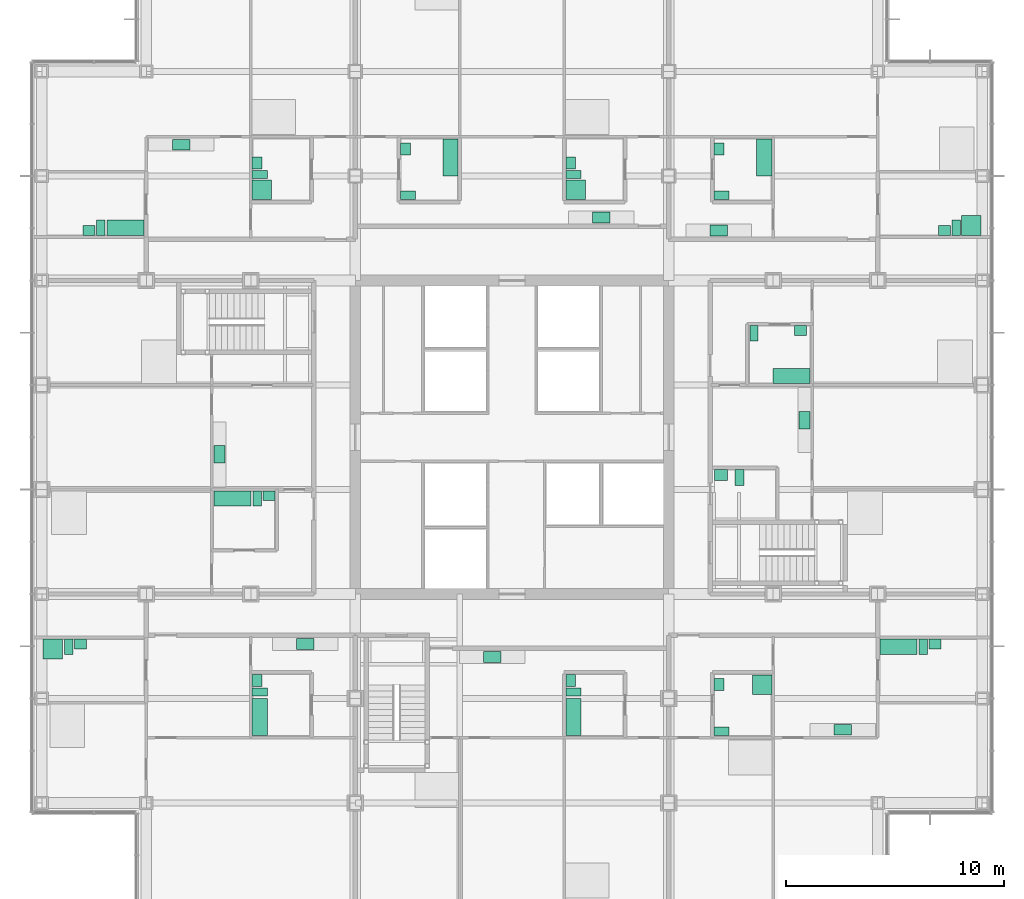
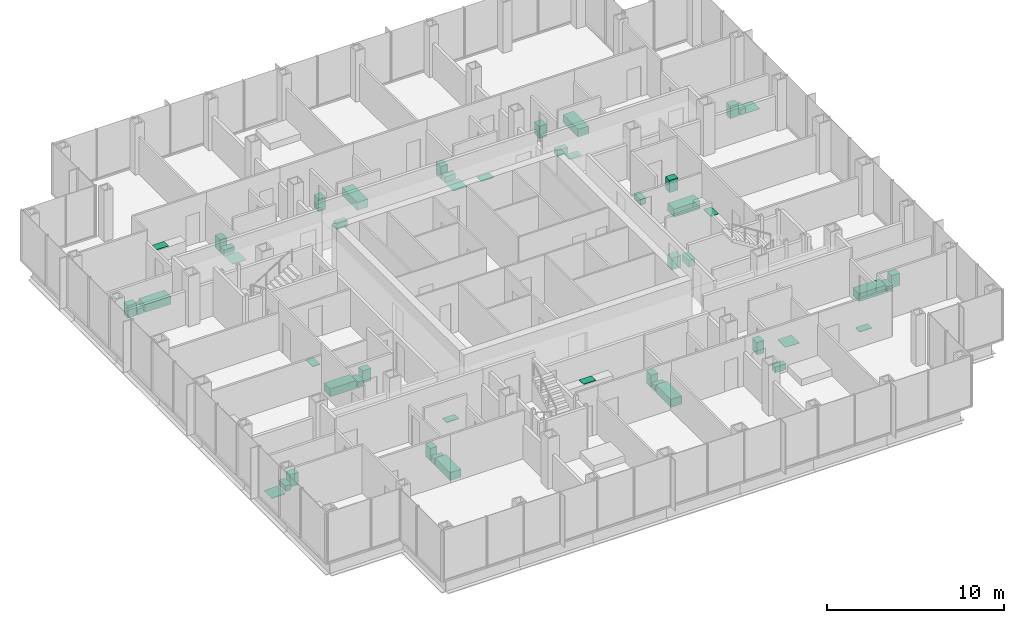
# One storey, part 20 of 21: 49 sanitary terminals.
"""IFC4 building model written with IfcOpenShell, lengths in metres."""

from ifc_helpers import new_model, si_unit, direction, frame, origin, origin_2d, place, context, subcontext, project, spatial, rectangle, extrude, material, type_object, element, save


model = new_model("IFC4")

# Units and contexts
model_context = context("Model", 3, precision=1e-05, world=origin(), true_north=direction((0.0, 1.0)))
body_context = subcontext(model_context, "Body", "Model", "MODEL_VIEW")
ifc_project = project(units=[si_unit("LENGTHUNIT", "METRE"), si_unit("AREAUNIT", "SQUARE_METRE"), si_unit("VOLUMEUNIT", "CUBIC_METRE"), si_unit("PLANEANGLEUNIT", "RADIAN"), si_unit("MASSUNIT", "GRAM", prefix="KILO")], contexts=[model_context])

# Site, building, storey
site_placement = place(None, origin())
site = spatial("IfcSite", under=ifc_project, at=site_placement, CompositionType="ELEMENT")
building_placement = place(site_placement, origin())
building = spatial("IfcBuilding", under=site, at=building_placement, Name="Kvirike Care Tower", CompositionType="ELEMENT")
storey_placement = place(building_placement, frame((0.0, 0.0, 62.0)))
storey = spatial("IfcBuildingStorey", under=building, at=storey_placement, Name="L16", CompositionType="ELEMENT", Elevation=62.0)

# Sanitary terminals
ifc_material_1 = material(Name="Vitreous china", Category="ceramic")
sanitary_terminal_type_1 = type_object("IfcSanitaryTerminalType", Name="ACCESSIBLE WASH BASIN 600 x 500", PredefinedType="WASHHANDBASIN", material=ifc_material_1)
sanitary_terminal_1_placement = place(storey_placement, frame((31.199951171875, 34.27294921875, 0.02001953125), z_axis=(0.0, 0.0, 1.0), x_axis=(1.0, 0.0, 0.0)))
element("IfcSanitaryTerminal", 1, at=sanitary_terminal_1_placement, inside=storey, type_object=sanitary_terminal_type_1, Name="Accessible wash basin L16-050", PredefinedType="WASHHANDBASIN", context=body_context, shape_type="SweptSolid", body=[
    extrude(rectangle(XDim=0.60009765625, YDim=0.5, at=origin_2d()), origin(), (0.0, 0.0, 1.0), 0.800048828125),
])
ifc_material_2 = material(Name="Vitreous china", Category="ceramic")
sanitary_terminal_type_2 = type_object("IfcSanitaryTerminalType", Name="ACCESSIBLE WC PAN 400 x 750", PredefinedType="TOILETPAN", material=ifc_material_2)
sanitary_terminal_2_placement = place(storey_placement, frame((32.050048828125, 34.14794921875, 0.02001953125), z_axis=(0.0, 0.0, 1.0), x_axis=(1.0, 0.0, 0.0)))
element("IfcSanitaryTerminal", 2, at=sanitary_terminal_2_placement, inside=storey, type_object=sanitary_terminal_type_2, Name="Accessible WC pan L16-050", PredefinedType="TOILETPAN", context=body_context, shape_type="SweptSolid", body=[
    extrude(rectangle(XDim=0.39990234375, YDim=0.75, at=origin_2d()), origin(), (0.0, 0.0, 1.0), 0.47998046875),
])
ifc_material_3 = material(Name="Enamelled steel", Category="steel")
sanitary_terminal_type_3 = type_object("IfcSanitaryTerminalType", Name="BATH 1700 x 700", PredefinedType="BATH", material=ifc_material_3)
for number, where, z_axis, x_axis, name in (
    (3, (10.011962890625, 23.159912109375, 0.02001953125), (0.0, 0.0, 1.0), (0.0, 1.0, 0.0), "Bath L16-005"),
    (4, (8.760009765625, 33.18798828125, 0.02001953125), (0.0, 0.0, 1.0), (1.0, 0.0, 0.0), "Bath L16-013"),
    (5, (3.85009765625, 45.626953125, 0.02001953125), (0.0, 0.0, 1.0), (-1.0, 0.0, 0.0), "Bath L16-021"),
    (6, (24.427001953125, 23.159912109375, 0.02001953125), (0.0, 0.0, 1.0), (0.0, 1.0, 0.0), "Bath L16-029"),
    (7, (18.77294921875, 48.840087890625, 0.02001953125), (0.0, 0.0, 1.0), (0.0, -1.0, 0.0), "Bath L16-036"),
    (8, (39.35009765625, 26.373046875, 0.02001953125), (0.0, 0.0, 1.0), (1.0, 0.0, 0.0), "Bath L16-042"),
    (9, (34.43994140625, 38.81201171875, 0.02001953125), (0.0, 0.0, 1.0), (-1.0, 0.0, 0.0), "Bath L16-051"),
    (10, (33.18798828125, 48.840087890625, 0.02001953125), (0.0, 0.0, 1.0), (0.0, -1.0, 0.0), "Bath L16-058"),
):
    element("IfcSanitaryTerminal", number, at=place(storey_placement, frame(where, z_axis=z_axis, x_axis=x_axis)), inside=storey, type_object=sanitary_terminal_type_3, Name=name, PredefinedType="BATH", context=body_context, shape_type="SweptSolid", body=[
        extrude(rectangle(XDim=1.699951171875, YDim=0.699951171875, at=origin_2d()), origin(), (0.0, 0.0, 1.0), 0.550048828125),
    ])
ifc_material_4 = material(Name="Stainless steel", Category="steel")
sanitary_terminal_type_4 = type_object("IfcSanitaryTerminalType", Name="KITCHEN SINK 800 x 500", PredefinedType="SINK", material=ifc_material_4)
for number, where, z_axis, x_axis, name in (
    (11, (12.110107421875, 26.498046875, 0.89990234375), (0.0, 0.0, 1.0), (1.0, 0.0, 0.0), "Kitchen sink L16-007"),
    (12, (8.162109375, 35.2099609375, 0.89990234375), (0.0, 0.0, 1.0), (0.0, 1.0, 0.0), "Kitchen sink L16-015"),
    (13, (6.409912109375, 49.43798828125, 0.89990234375), (0.0, 0.0, 1.0), (1.0, 0.0, 0.0), "Kitchen sink L16-023"),
    (14, (20.699951171875, 25.89794921875, 0.89990234375), (0.0, 0.0, 1.0), (1.0, 0.0, 0.0), "Kitchen sink L16-030"),
    (15, (25.699951171875, 46.10205078125, 0.89990234375), (0.0, 0.0, 1.0), (-1.0, 0.0, 0.0), "Kitchen sink L16-037"),
    (16, (36.7900390625, 22.56201171875, 0.89990234375), (0.0, 0.0, 1.0), (-1.0, 0.0, 0.0), "Kitchen sink L16-044"),
    (17, (35.0380859375, 36.7900390625, 0.89990234375), (0.0, 0.0, 1.0), (0.0, -1.0, 0.0), "Kitchen sink L16-052"),
    (18, (31.090087890625, 45.501953125, 0.89990234375), (0.0, 0.0, 1.0), (-1.0, 0.0, 0.0), "Kitchen sink L16-060"),
):
    element("IfcSanitaryTerminal", number, at=place(storey_placement, frame(where, z_axis=z_axis, x_axis=x_axis)), inside=storey, type_object=sanitary_terminal_type_4, Name=name, PredefinedType="SINK", context=body_context, shape_type="SweptSolid", body=[
        extrude(rectangle(XDim=0.800048828125, YDim=0.5, at=origin_2d()), origin(), (0.0, 0.0, 1.0), 0.030029296875),
    ])
ifc_material_5 = material(Name="Stainless steel", Category="steel")
sanitary_terminal_type_5 = type_object("IfcSanitaryTerminalType", Name="LEVEL-ACCESS SHOWER 900 x 900", PredefinedType="SHOWER", material=ifc_material_5)
for number, where, z_axis, x_axis, name in (
    (19, (0.5, 26.27294921875, 0.02001953125), (0.0, 0.0, 1.0), (1.0, 0.0, 0.0), "Level-access shower L16-004"),
    (20, (10.112060546875, 47.375, 0.02001953125), (0.0, 0.0, 1.0), (0.0, 1.0, 0.0), "Level-access shower L16-020"),
    (21, (24.527099609375, 47.375, 0.02001953125), (0.0, 0.0, 1.0), (0.0, 1.0, 0.0), "Level-access shower L16-035"),
    (22, (33.087890625, 24.625, 0.02001953125), (0.0, 0.0, 1.0), (0.0, -1.0, 0.0), "Level-access shower L16-041"),
    (23, (42.699951171875, 45.72705078125, 0.02001953125), (0.0, 0.0, 1.0), (-1.0, 0.0, 0.0), "Level-access shower L16-057"),
):
    element("IfcSanitaryTerminal", number, at=place(storey_placement, frame(where, z_axis=z_axis, x_axis=x_axis)), inside=storey, type_object=sanitary_terminal_type_5, Name=name, PredefinedType="SHOWER", context=body_context, shape_type="SweptSolid", body=[
        extrude(rectangle(XDim=0.89990234375, YDim=0.89990234375, at=origin_2d()), origin(), (0.0, 0.0, 1.0), 0.02001953125),
    ])
ifc_material_6 = material(Name="Vitreous china", Category="ceramic")
sanitary_terminal_type_6 = type_object("IfcSanitaryTerminalType", Name="WASH BASIN 550 x 450", PredefinedType="WASHHANDBASIN", material=ifc_material_6)
for number, where, z_axis, x_axis, name in (
    (24, (1.77490234375, 26.498046875, 0.02001953125), (0.0, 0.0, 1.0), (1.0, 0.0, 0.0), "Wash basin L16-004"),
    (25, (9.886962890625, 24.8349609375, 0.02001953125), (0.0, 0.0, 1.0), (0.0, 1.0, 0.0), "Wash basin L16-005"),
    (26, (10.43505859375, 33.31298828125, 0.02001953125), (0.0, 0.0, 1.0), (1.0, 0.0, 0.0), "Wash basin L16-013"),
    (27, (9.886962890625, 48.60009765625, 0.02001953125), (0.0, 0.0, 1.0), (0.0, 1.0, 0.0), "Wash basin L16-020"),
    (28, (2.175048828125, 45.501953125, 0.02001953125), (0.0, 0.0, 1.0), (-1.0, 0.0, 0.0), "Wash basin L16-021"),
    (29, (24.302001953125, 24.8349609375, 0.02001953125), (0.0, 0.0, 1.0), (0.0, 1.0, 0.0), "Wash basin L16-029"),
    (30, (24.302001953125, 48.60009765625, 0.02001953125), (0.0, 0.0, 1.0), (0.0, 1.0, 0.0), "Wash basin L16-035"),
    (31, (16.701904296875, 49.25, 0.02001953125), (0.0, 0.0, 1.0), (0.0, 1.0, 0.0), "Wash basin L16-036"),
    (32, (31.10205078125, 24.635009765625, 0.02001953125), (0.0, 0.0, 1.0), (0.0, 1.0, 0.0), "Wash basin L16-041"),
    (33, (41.02490234375, 26.498046875, 0.02001953125), (0.0, 0.0, 1.0), (1.0, 0.0, 0.0), "Wash basin L16-042"),
    (34, (34.85009765625, 40.89794921875, 0.02001953125), (0.0, 0.0, 1.0), (1.0, 0.0, 0.0), "Wash basin L16-051"),
    (35, (41.47509765625, 45.501953125, 0.02001953125), (0.0, 0.0, 1.0), (-1.0, 0.0, 0.0), "Wash basin L16-057"),
    (36, (31.10205078125, 49.25, 0.02001953125), (0.0, 0.0, 1.0), (0.0, 1.0, 0.0), "Wash basin L16-058"),
):
    element("IfcSanitaryTerminal", number, at=place(storey_placement, frame(where, z_axis=z_axis, x_axis=x_axis)), inside=storey, type_object=sanitary_terminal_type_6, Name=name, PredefinedType="WASHHANDBASIN", context=body_context, shape_type="SweptSolid", body=[
        extrude(rectangle(XDim=0.550048828125, YDim=0.449951171875, at=origin_2d()), origin(), (0.0, 0.0, 1.0), 0.85009765625),
    ])
ifc_material_7 = material(Name="Vitreous china", Category="ceramic")
sanitary_terminal_type_7 = type_object("IfcSanitaryTerminalType", Name="WC PAN 380 x 700", PredefinedType="TOILETPAN", material=ifc_material_7)
for number, where, z_axis, x_axis, name in (
    (37, (1.239990234375, 26.373046875, 0.02001953125), (0.0, 0.0, 1.0), (1.0, 0.0, 0.0), "WC pan L16-004"),
    (38, (10.011962890625, 24.300048828125, 0.02001953125), (0.0, 0.0, 1.0), (0.0, 1.0, 0.0), "WC pan L16-005"),
    (39, (9.89990234375, 33.18798828125, 0.02001953125), (0.0, 0.0, 1.0), (1.0, 0.0, 0.0), "WC pan L16-013"),
    (40, (10.011962890625, 48.06494140625, 0.02001953125), (0.0, 0.0, 1.0), (0.0, 1.0, 0.0), "WC pan L16-020"),
    (41, (2.7099609375, 45.626953125, 0.02001953125), (0.0, 0.0, 1.0), (-1.0, 0.0, 0.0), "WC pan L16-021"),
    (42, (24.427001953125, 24.300048828125, 0.02001953125), (0.0, 0.0, 1.0), (0.0, 1.0, 0.0), "WC pan L16-029"),
    (43, (24.427001953125, 48.06494140625, 0.02001953125), (0.0, 0.0, 1.0), (0.0, 1.0, 0.0), "WC pan L16-035"),
    (44, (16.826904296875, 47.114990234375, 0.02001953125), (0.0, 0.0, 1.0), (0.0, 1.0, 0.0), "WC pan L16-036"),
    (45, (31.22705078125, 22.5, 0.02001953125), (0.0, 0.0, 1.0), (0.0, 1.0, 0.0), "WC pan L16-041"),
    (46, (40.489990234375, 26.373046875, 0.02001953125), (0.0, 0.0, 1.0), (1.0, 0.0, 0.0), "WC pan L16-042"),
    (47, (32.715087890625, 40.77294921875, 0.02001953125), (0.0, 0.0, 1.0), (1.0, 0.0, 0.0), "WC pan L16-051"),
    (48, (42.010009765625, 45.626953125, 0.02001953125), (0.0, 0.0, 1.0), (-1.0, 0.0, 0.0), "WC pan L16-057"),
    (49, (31.22705078125, 47.114990234375, 0.02001953125), (0.0, 0.0, 1.0), (0.0, 1.0, 0.0), "WC pan L16-058"),
):
    element("IfcSanitaryTerminal", number, at=place(storey_placement, frame(where, z_axis=z_axis, x_axis=x_axis)), inside=storey, type_object=sanitary_terminal_type_7, Name=name, PredefinedType="TOILETPAN", context=body_context, shape_type="SweptSolid", body=[
        extrude(rectangle(XDim=0.3798828125, YDim=0.699951171875, at=origin_2d()), origin(), (0.0, 0.0, 1.0), 0.39990234375),
    ])

save(model, "model.ifc")
